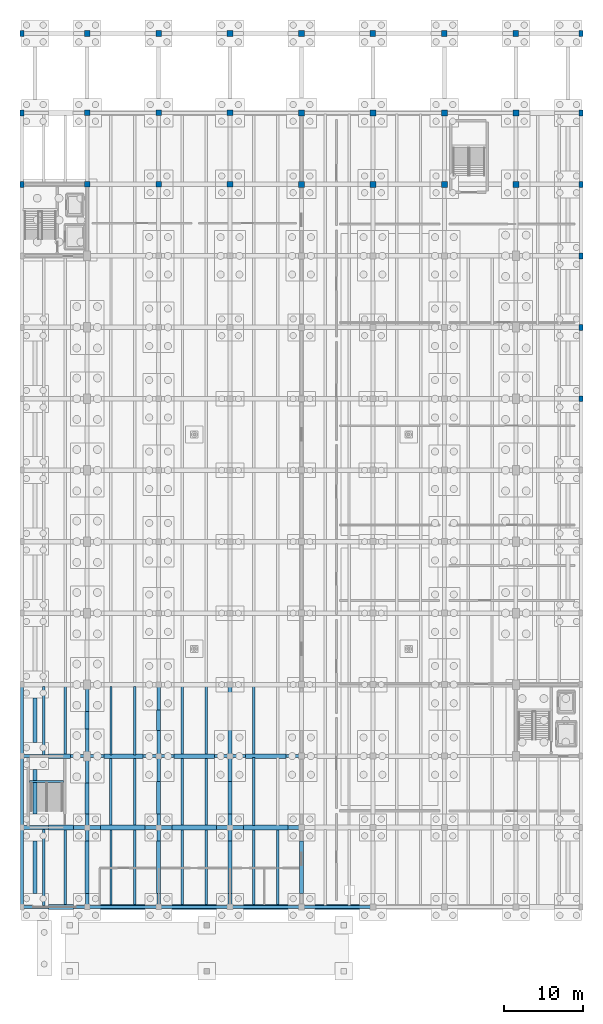
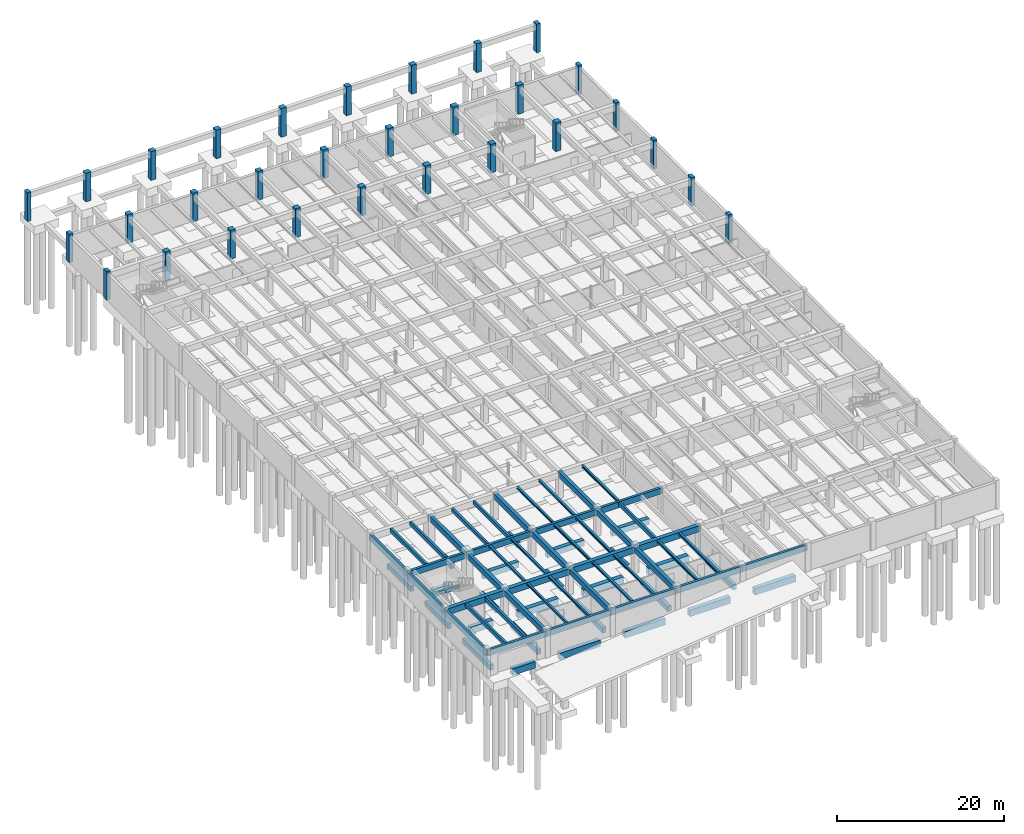
# One storey, part 11 of 23: 71 beams, 30 columns.
"""IFC4 building model written with IfcOpenShell, lengths in metres."""

from ifc_helpers import new_model, si_unit, direction, frame, origin, origin_2d, place, context, subcontext, project, spatial, rectangle, i_section, extrude, material, material_profile, profile_set, type_object, element, save


model = new_model("IFC4")

# Units and contexts
model_context = context("Model", 3, precision=1e-05, world=origin(), true_north=direction((0.0, 1.0)))
body_context = subcontext(model_context, "Body", "Model", "MODEL_VIEW")
ifc_project = project(units=[si_unit("LENGTHUNIT", "METRE"), si_unit("AREAUNIT", "SQUARE_METRE"), si_unit("VOLUMEUNIT", "CUBIC_METRE"), si_unit("PLANEANGLEUNIT", "RADIAN"), si_unit("MASSUNIT", "GRAM", prefix="KILO")], contexts=[model_context])

# Site, building, storey
site_placement = place(None, origin())
site = spatial("IfcSite", under=ifc_project, at=site_placement, CompositionType="ELEMENT")
building_placement = place(site_placement, origin())
building = spatial("IfcBuilding", under=site, at=building_placement, Name="Ornek Quay Market", CompositionType="ELEMENT")
storey_placement = place(building_placement, frame((0.0, 0.0, -4.199951171875)))
storey = spatial("IfcBuildingStorey", under=building, at=storey_placement, Name="B1", CompositionType="ELEMENT", Elevation=-4.199951171875)

# Columns
ifc_material_1 = material(Name="Concrete C40/50", Category="concrete")
ifc_material_profile_1 = material_profile(ifc_material_1, rectangle(XDim=0.699951171875, YDim=0.699951171875, at=origin_2d()), Name="RC 700x700", Category="concrete")
ifc_profile_set_1 = profile_set([ifc_material_profile_1], Name="Concrete C40/50")
column_type_1 = type_object("IfcColumnType", Name="COL-B1-700x700", PredefinedType="COLUMN", material=ifc_profile_set_1)
for number, where, z_axis, x_axis, name in (
    (1, (63.0, 101.0, 0.0), (0.0, 0.0, 1.0), (1.0, 0.0, 0.0), "Column C-B1B-003"),
    (2, (63.0, 110.0, 0.0), (0.0, 0.0, 1.0), (1.0, 0.0, 0.0), "Column C-B1B-004"),
    (3, (63.0, 120.0, 0.0), (0.0, 0.0, 1.0), (1.0, 0.0, 0.0), "Column C-B1B-005"),
    (4, (72.0, 101.0, 0.0), (0.0, 0.0, 1.0), (1.0, 0.0, 0.0), "Column C-B1B-016"),
    (5, (72.0, 110.0, 0.0), (0.0, 0.0, 1.0), (1.0, 0.0, 0.0), "Column C-B1B-017"),
    (6, (72.0, 120.0, 0.0), (0.0, 0.0, 1.0), (1.0, 0.0, 0.0), "Column C-B1B-018"),
    (7, (81.0, 101.0, 0.0), (0.0, 0.0, 1.0), (1.0, 0.0, 0.0), "Column C-B1B-029"),
    (8, (81.0, 110.0, 0.0), (0.0, 0.0, 1.0), (1.0, 0.0, 0.0), "Column C-B1B-030"),
    (9, (81.0, 120.0, 0.0), (0.0, 0.0, 1.0), (1.0, 0.0, 0.0), "Column C-B1B-031"),
    (10, (90.0, 120.0, 0.0), (0.0, 0.0, 1.0), (1.0, 0.0, 0.0), "Column C-B1B-032"),
    (11, (99.0, 120.0, 0.0), (0.0, 0.0, 1.0), (1.0, 0.0, 0.0), "Column C-B1B-033"),
    (12, (108.0, 120.0, 0.0), (0.0, 0.0, 1.0), (1.0, 0.0, 0.0), "Column C-B1B-034"),
    (13, (117.0, 120.0, 0.0), (0.0, 0.0, 1.0), (1.0, 0.0, 0.0), "Column C-B1B-035"),
):
    element("IfcColumn", number, at=place(storey_placement, frame(where, z_axis=z_axis, x_axis=x_axis)), inside=storey, type_object=column_type_1, Name=name, PredefinedType="COLUMN", context=body_context, shape_type="SweptSolid", body=[
        extrude(rectangle(XDim=0.699951171875, YDim=0.699951171875, at=origin_2d()), origin(), (0.0, 0.0, 1.0), 4.199951171875),
    ])
ifc_material_profile_2 = material_profile(ifc_material_1, rectangle(XDim=0.75, YDim=0.75, at=origin_2d()), Name="RC 750x750", Category="concrete")
ifc_profile_set_2 = profile_set([ifc_material_profile_2], Name="Concrete C40/50")
column_type_2 = type_object("IfcColumnType", Name="COL-B1-750x750", PredefinedType="COLUMN", material=ifc_profile_set_2)
for number, where, z_axis, x_axis, name in (
    (14, (90.0, 101.0, 0.0), (0.0, 0.0, 1.0), (1.0, 0.0, 0.0), "Column C-B1A-011"),
    (15, (90.0, 110.0, 0.0), (0.0, 0.0, 1.0), (1.0, 0.0, 0.0), "Column C-B1A-012"),
    (16, (99.0, 101.0, 0.0), (0.0, 0.0, 1.0), (1.0, 0.0, 0.0), "Column C-B1A-023"),
    (17, (99.0, 110.0, 0.0), (0.0, 0.0, 1.0), (1.0, 0.0, 0.0), "Column C-B1A-024"),
    (18, (108.0, 101.0, 0.0), (0.0, 0.0, 1.0), (1.0, 0.0, 0.0), "Column C-B1A-035"),
    (19, (108.0, 110.0, 0.0), (0.0, 0.0, 1.0), (1.0, 0.0, 0.0), "Column C-B1A-036"),
    (20, (117.0, 101.0, 0.0), (0.0, 0.0, 1.0), (1.0, 0.0, 0.0), "Column C-B1A-039"),
    (21, (117.0, 110.0, 0.0), (0.0, 0.0, 1.0), (1.0, 0.0, 0.0), "Column C-B1A-040"),
):
    element("IfcColumn", number, at=place(storey_placement, frame(where, z_axis=z_axis, x_axis=x_axis)), inside=storey, type_object=column_type_2, Name=name, PredefinedType="COLUMN", context=body_context, shape_type="SweptSolid", body=[
        extrude(rectangle(XDim=0.75, YDim=0.75, at=origin_2d()), origin(), (0.0, 0.0, 1.0), 4.199951171875),
    ])
ifc_material_profile_3 = material_profile(ifc_material_1, rectangle(XDim=0.5, YDim=0.75, at=origin_2d()), Name="RC 500x750", Category="concrete")
ifc_profile_set_3 = profile_set([ifc_material_profile_3], Name="Concrete C40/50")
column_type_3 = type_object("IfcColumnType", Name="COL-MJ-500x750", PredefinedType="COLUMN", material=ifc_profile_set_3)
for number, where, z_axis, x_axis, name in (
    (22, (54.800048828125, 101.0, 0.0), (0.0, 0.0, 1.0), (1.0, 0.0, 0.0), "Column C-MJ1-026"),
    (23, (54.800048828125, 110.0, 0.0), (0.0, 0.0, 1.0), (1.0, 0.0, 0.0), "Column C-MJ1-028"),
    (24, (54.800048828125, 120.0, 0.0), (0.0, 0.0, 1.0), (1.0, 0.0, 0.0), "Column C-MJ1-030"),
    (25, (125.199951171875, 74.0, 0.0), (0.0, 0.0, 1.0), (1.0, 0.0, 0.0), "Column C-MJ1-045"),
    (26, (125.199951171875, 83.0, 0.0), (0.0, 0.0, 1.0), (1.0, 0.0, 0.0), "Column C-MJ1-047"),
    (27, (125.199951171875, 92.0, 0.0), (0.0, 0.0, 1.0), (1.0, 0.0, 0.0), "Column C-MJ1-049"),
    (28, (125.199951171875, 101.0, 0.0), (0.0, 0.0, 1.0), (1.0, 0.0, 0.0), "Column C-MJ1-051"),
    (29, (125.199951171875, 110.0, 0.0), (0.0, 0.0, 1.0), (1.0, 0.0, 0.0), "Column C-MJ1-053"),
    (30, (125.199951171875, 120.0, 0.0), (0.0, 0.0, 1.0), (1.0, 0.0, 0.0), "Column C-MJ1-055"),
):
    element("IfcColumn", number, at=place(storey_placement, frame(where, z_axis=z_axis, x_axis=x_axis)), inside=storey, type_object=column_type_3, Name=name, PredefinedType="COLUMN", context=body_context, shape_type="SweptSolid", body=[
        extrude(rectangle(XDim=0.5, YDim=0.75, at=origin_2d()), origin(), (0.0, 0.0, 1.0), 4.199951171875),
    ])

# Beams
ifc_material_2 = material(Name="Concrete C35/45", Category="concrete")
ifc_material_profile_4 = material_profile(ifc_material_2, rectangle(XDim=0.449951171875, YDim=0.800048828125, at=origin_2d()), Name="RC 450x800", Category="concrete")
ifc_profile_set_4 = profile_set([ifc_material_profile_4], Name="Concrete C35/45")
beam_type_1 = type_object("IfcBeamType", Name="BM-B1-450x800", PredefinedType="BEAM", material=ifc_profile_set_4)
beam_1_placement = place(storey_placement, frame((63.0, 10.0, 3.419921875), z_axis=(0.0, 1.0, 0.0), x_axis=(-1.0, 0.0, 0.0)))
element("IfcBeam", 31, at=beam_1_placement, inside=storey, type_object=beam_type_1, Name="Primary beam B-B1B-001", PredefinedType="BEAM", context=body_context, shape_type="SweptSolid", body=[
    extrude(rectangle(XDim=0.449951171875, YDim=0.800048828125, at=origin_2d()), origin(), (0.0, 0.0, 1.0), 10.0),
])
beam_2_placement = place(storey_placement, frame((63.0, 20.0, 3.419921875), z_axis=(0.0, 1.0, 0.0), x_axis=(-1.0, 0.0, 0.0)))
element("IfcBeam", 32, at=beam_2_placement, inside=storey, type_object=beam_type_1, Name="Primary beam B-B1B-002", PredefinedType="BEAM", context=body_context, shape_type="SweptSolid", body=[
    extrude(rectangle(XDim=0.449951171875, YDim=0.800048828125, at=origin_2d()), origin(), (0.0, 0.0, 1.0), 9.0),
])
beam_3_placement = place(storey_placement, frame((72.0, 10.0, 3.419921875), z_axis=(0.0, 1.0, 0.0), x_axis=(-1.0, 0.0, 0.0)))
element("IfcBeam", 33, at=beam_3_placement, inside=storey, type_object=beam_type_1, Name="Primary beam B-B1B-003", PredefinedType="BEAM", context=body_context, shape_type="SweptSolid", body=[
    extrude(rectangle(XDim=0.449951171875, YDim=0.800048828125, at=origin_2d()), origin(), (0.0, 0.0, 1.0), 10.0),
])
beam_4_placement = place(storey_placement, frame((72.0, 20.0, 3.419921875), z_axis=(0.0, 1.0, 0.0), x_axis=(-1.0, 0.0, 0.0)))
element("IfcBeam", 34, at=beam_4_placement, inside=storey, type_object=beam_type_1, Name="Primary beam B-B1B-004", PredefinedType="BEAM", context=body_context, shape_type="SweptSolid", body=[
    extrude(rectangle(XDim=0.449951171875, YDim=0.800048828125, at=origin_2d()), origin(), (0.0, 0.0, 1.0), 9.0),
])
beam_5_placement = place(storey_placement, frame((81.0, 10.0, 3.419921875), z_axis=(0.0, 1.0, 0.0), x_axis=(-1.0, 0.0, 0.0)))
element("IfcBeam", 35, at=beam_5_placement, inside=storey, type_object=beam_type_1, Name="Primary beam B-B1B-005", PredefinedType="BEAM", context=body_context, shape_type="SweptSolid", body=[
    extrude(rectangle(XDim=0.449951171875, YDim=0.800048828125, at=origin_2d()), origin(), (0.0, 0.0, 1.0), 10.0),
])
for number, where, z_axis, x_axis, name in (
    (36, (81.0, 20.0, 3.419921875), (0.0, 1.0, 0.0), (-1.0, 0.0, 0.0), "Primary beam B-B1B-006"),
    (37, (63.0, 29.0, 3.4599609375), (0.0, 1.0, 0.0), (-1.0, 0.0, 0.0), "Primary beam B-B1B-015"),
    (38, (72.0, 29.0, 3.4599609375), (0.0, 1.0, 0.0), (-1.0, 0.0, 0.0), "Primary beam B-B1B-024"),
    (39, (81.0, 29.0, 3.4599609375), (0.0, 1.0, 0.0), (-1.0, 0.0, 0.0), "Primary beam B-B1B-033"),
):
    element("IfcBeam", number, at=place(storey_placement, frame(where, z_axis=z_axis, x_axis=x_axis)), inside=storey, type_object=beam_type_1, Name=name, PredefinedType="BEAM", context=body_context, shape_type="SweptSolid", body=[
        extrude(rectangle(XDim=0.449951171875, YDim=0.800048828125, at=origin_2d()), origin(), (0.0, 0.0, 1.0), 9.0),
    ])
ifc_material_profile_5 = material_profile(ifc_material_1, rectangle(XDim=0.550048828125, YDim=0.89990234375, at=origin_2d()), Name="RC 550x900", Category="concrete")
ifc_profile_set_5 = profile_set([ifc_material_profile_5], Name="Concrete C40/50")
beam_type_2 = type_object("IfcBeamType", Name="BM-B1-550x900", PredefinedType="BEAM", material=ifc_profile_set_5)
beam_6_placement = place(storey_placement, frame((54.800048828125, 20.0, 3.369873046875), z_axis=(1.0, 0.0, 0.0), x_axis=(0.0, 1.0, 0.0)))
element("IfcBeam", 40, at=beam_6_placement, inside=storey, type_object=beam_type_2, Name="Primary beam B-B1A-001", PredefinedType="BEAM", context=body_context, shape_type="SweptSolid", body=[
    extrude(rectangle(XDim=0.550048828125, YDim=0.89990234375, at=origin_2d()), origin(), (0.0, 0.0, 1.0), 8.199951171875),
])
for number, where, z_axis, x_axis, name in (
    (41, (63.0, 20.0, 3.369873046875), (1.0, 0.0, 0.0), (0.0, 1.0, 0.0), "Primary beam B-B1A-002"),
    (42, (72.0, 20.0, 3.369873046875), (1.0, 0.0, 0.0), (0.0, 1.0, 0.0), "Primary beam B-B1A-003"),
    (43, (81.0, 20.0, 3.369873046875), (1.0, 0.0, 0.0), (0.0, 1.0, 0.0), "Primary beam B-B1A-004"),
):
    element("IfcBeam", number, at=place(storey_placement, frame(where, z_axis=z_axis, x_axis=x_axis)), inside=storey, type_object=beam_type_2, Name=name, PredefinedType="BEAM", context=body_context, shape_type="SweptSolid", body=[
        extrude(rectangle(XDim=0.550048828125, YDim=0.89990234375, at=origin_2d()), origin(), (0.0, 0.0, 1.0), 9.0),
    ])
ifc_material_profile_6 = material_profile(ifc_material_2, rectangle(XDim=0.5, YDim=0.75, at=origin_2d()), Name="RC 500x750", Category="concrete")
ifc_profile_set_6 = profile_set([ifc_material_profile_6], Name="Concrete C35/45")
beam_type_3 = type_object("IfcBeamType", Name="BM-GB-500x750", PredefinedType="BEAM", material=ifc_profile_set_6)
beam_7_placement = place(storey_placement, frame((56.419921875, 11.699951171875, -0.375), z_axis=(0.0, 1.0, 0.0), x_axis=(-1.0, 0.0, 0.0)))
element("IfcBeam", 44, at=beam_7_placement, inside=storey, type_object=beam_type_3, Name="Ground tie beam GB-210", PredefinedType="BEAM", context=body_context, shape_type="SweptSolid", body=[
    extrude(rectangle(XDim=0.5, YDim=0.75, at=origin_2d()), origin(), (0.0, 0.0, 1.0), 6.60009765625),
])
for number, where, z_axis, x_axis, name in (
    (45, (56.419921875, 21.699951171875, -0.375), (0.0, 1.0, 0.0), (-1.0, 0.0, 0.0), "Ground tie beam GB-211"),
    (46, (56.419921875, 30.699951171875, -0.375), (0.0, 1.0, 0.0), (-1.0, 0.0, 0.0), "Ground tie beam GB-212"),
):
    element("IfcBeam", number, at=place(storey_placement, frame(where, z_axis=z_axis, x_axis=x_axis)), inside=storey, type_object=beam_type_3, Name=name, PredefinedType="BEAM", context=body_context, shape_type="SweptSolid", body=[
        extrude(rectangle(XDim=0.5, YDim=0.75, at=origin_2d()), origin(), (0.0, 0.0, 1.0), 5.60009765625),
    ])
beam_8_placement = place(storey_placement, frame((63.0, 11.699951171875, -0.375), z_axis=(0.0, 1.0, 0.0), x_axis=(-1.0, 0.0, 0.0)))
element("IfcBeam", 47, at=beam_8_placement, inside=storey, type_object=beam_type_3, Name="Ground tie beam GB-219", PredefinedType="BEAM", context=body_context, shape_type="SweptSolid", body=[
    extrude(rectangle(XDim=0.5, YDim=0.75, at=origin_2d()), origin(), (0.0, 0.0, 1.0), 6.60009765625),
])
beam_9_placement = place(storey_placement, frame((63.0, 21.699951171875, -0.375), z_axis=(0.0, 1.0, 0.0), x_axis=(-1.0, 0.0, 0.0)))
element("IfcBeam", 48, at=beam_9_placement, inside=storey, type_object=beam_type_3, Name="Ground tie beam GB-220", PredefinedType="BEAM", context=body_context, shape_type="SweptSolid", body=[
    extrude(rectangle(XDim=0.5, YDim=0.75, at=origin_2d()), origin(), (0.0, 0.0, 1.0), 3.900146484375),
])
beam_10_placement = place(storey_placement, frame((63.0, 32.39990234375, -0.375), z_axis=(0.0, 1.0, 0.0), x_axis=(-1.0, 0.0, 0.0)))
element("IfcBeam", 49, at=beam_10_placement, inside=storey, type_object=beam_type_3, Name="Ground tie beam GB-221", PredefinedType="BEAM", context=body_context, shape_type="SweptSolid", body=[
    extrude(rectangle(XDim=0.5, YDim=0.75, at=origin_2d()), origin(), (0.0, 0.0, 1.0), 2.2001953125),
])
beam_11_placement = place(storey_placement, frame((72.0, 11.699951171875, -0.375), z_axis=(0.0, 1.0, 0.0), x_axis=(-1.0, 0.0, 0.0)))
element("IfcBeam", 50, at=beam_11_placement, inside=storey, type_object=beam_type_3, Name="Ground tie beam GB-228", PredefinedType="BEAM", context=body_context, shape_type="SweptSolid", body=[
    extrude(rectangle(XDim=0.5, YDim=0.75, at=origin_2d()), origin(), (0.0, 0.0, 1.0), 6.60009765625),
])
beam_12_placement = place(storey_placement, frame((72.0, 21.699951171875, -0.375), z_axis=(0.0, 1.0, 0.0), x_axis=(-1.0, 0.0, 0.0)))
element("IfcBeam", 51, at=beam_12_placement, inside=storey, type_object=beam_type_3, Name="Ground tie beam GB-229", PredefinedType="BEAM", context=body_context, shape_type="SweptSolid", body=[
    extrude(rectangle(XDim=0.5, YDim=0.75, at=origin_2d()), origin(), (0.0, 0.0, 1.0), 4.10009765625),
])
beam_13_placement = place(storey_placement, frame((72.0, 32.199951171875, -0.375), z_axis=(0.0, 1.0, 0.0), x_axis=(-1.0, 0.0, 0.0)))
element("IfcBeam", 52, at=beam_13_placement, inside=storey, type_object=beam_type_3, Name="Ground tie beam GB-230", PredefinedType="BEAM", context=body_context, shape_type="SweptSolid", body=[
    extrude(rectangle(XDim=0.5, YDim=0.75, at=origin_2d()), origin(), (0.0, 0.0, 1.0), 2.60009765625),
])
beam_14_placement = place(storey_placement, frame((81.0, 11.699951171875, -0.375), z_axis=(0.0, 1.0, 0.0), x_axis=(-1.0, 0.0, 0.0)))
element("IfcBeam", 53, at=beam_14_placement, inside=storey, type_object=beam_type_3, Name="Ground tie beam GB-240", PredefinedType="BEAM", context=body_context, shape_type="SweptSolid", body=[
    extrude(rectangle(XDim=0.5, YDim=0.75, at=origin_2d()), origin(), (0.0, 0.0, 1.0), 6.60009765625),
])
beam_15_placement = place(storey_placement, frame((81.0, 21.699951171875, -0.375), z_axis=(0.0, 1.0, 0.0), x_axis=(-1.0, 0.0, 0.0)))
element("IfcBeam", 54, at=beam_15_placement, inside=storey, type_object=beam_type_3, Name="Ground tie beam GB-241", PredefinedType="BEAM", context=body_context, shape_type="SweptSolid", body=[
    extrude(rectangle(XDim=0.5, YDim=0.75, at=origin_2d()), origin(), (0.0, 0.0, 1.0), 4.10009765625),
])
beam_16_placement = place(storey_placement, frame((90.0, 11.699951171875, -0.375), z_axis=(0.0, 1.0, 0.0), x_axis=(-1.0, 0.0, 0.0)))
element("IfcBeam", 55, at=beam_16_placement, inside=storey, type_object=beam_type_3, Name="Ground tie beam GB-252", PredefinedType="BEAM", context=body_context, shape_type="SweptSolid", body=[
    extrude(rectangle(XDim=0.5, YDim=0.75, at=origin_2d()), origin(), (0.0, 0.0, 1.0), 6.60009765625),
])
ifc_material_profile_7 = material_profile(ifc_material_2, rectangle(XDim=0.550048828125, YDim=0.85009765625, at=origin_2d()), Name="RC 550x850", Category="concrete")
ifc_profile_set_7 = profile_set([ifc_material_profile_7], Name="Concrete C35/45")
beam_type_4 = type_object("IfcBeamType", Name="BM-GB-550x850", PredefinedType="BEAM", material=ifc_profile_set_7)
beam_17_placement = place(storey_placement, frame((58.1201171875, 29.0, -0.425048828125), z_axis=(1.0, 0.0, 0.0), x_axis=(0.0, 1.0, 0.0)))
element("IfcBeam", 56, at=beam_17_placement, inside=storey, type_object=beam_type_4, Name="Ground tie beam GB-130", PredefinedType="BEAM", context=body_context, shape_type="SweptSolid", body=[
    extrude(rectangle(XDim=0.550048828125, YDim=0.85009765625, at=origin_2d()), origin(), (0.0, 0.0, 1.0), 2.77978515625),
])
beam_18_placement = place(storey_placement, frame((65.10009765625, 29.0, -0.425048828125), z_axis=(1.0, 0.0, 0.0), x_axis=(0.0, 1.0, 0.0)))
element("IfcBeam", 57, at=beam_18_placement, inside=storey, type_object=beam_type_4, Name="Ground tie beam GB-131", PredefinedType="BEAM", context=body_context, shape_type="SweptSolid", body=[
    extrude(rectangle(XDim=0.550048828125, YDim=0.85009765625, at=origin_2d()), origin(), (0.0, 0.0, 1.0), 4.949951171875),
])
for number, where, z_axis, x_axis, name in (
    (58, (73.949951171875, 29.0, -0.425048828125), (1.0, 0.0, 0.0), (0.0, 1.0, 0.0), "Ground tie beam GB-132"),
    (59, (82.949951171875, 29.0, -0.425048828125), (1.0, 0.0, 0.0), (0.0, 1.0, 0.0), "Ground tie beam GB-133"),
):
    element("IfcBeam", number, at=place(storey_placement, frame(where, z_axis=z_axis, x_axis=x_axis)), inside=storey, type_object=beam_type_4, Name=name, PredefinedType="BEAM", context=body_context, shape_type="SweptSolid", body=[
        extrude(rectangle(XDim=0.550048828125, YDim=0.85009765625, at=origin_2d()), origin(), (0.0, 0.0, 1.0), 5.10009765625),
    ])
ifc_material_profile_8 = material_profile(ifc_material_2, rectangle(XDim=0.60009765625, YDim=0.949951171875, at=origin_2d()), Name="RC 600x950", Category="concrete")
ifc_profile_set_8 = profile_set([ifc_material_profile_8], Name="Concrete C35/45")
beam_type_5 = type_object("IfcBeamType", Name="BM-GB-600x950", PredefinedType="BEAM", material=ifc_profile_set_8)
beam_19_placement = place(storey_placement, frame((58.1201171875, 10.0, -0.47509765625), z_axis=(1.0, 0.0, 0.0), x_axis=(0.0, 1.0, 0.0)))
element("IfcBeam", 60, at=beam_19_placement, inside=storey, type_object=beam_type_5, Name="Ground tie beam GB-114", PredefinedType="BEAM", context=body_context, shape_type="SweptSolid", body=[
    extrude(rectangle(XDim=0.60009765625, YDim=0.949951171875, at=origin_2d()), origin(), (0.0, 0.0, 1.0), 3.179931640625),
])
for number, where, z_axis, x_axis, name in (
    (61, (64.699951171875, 10.0, -0.47509765625), (1.0, 0.0, 0.0), (0.0, 1.0, 0.0), "Ground tie beam GB-115"),
    (62, (73.699951171875, 10.0, -0.47509765625), (1.0, 0.0, 0.0), (0.0, 1.0, 0.0), "Ground tie beam GB-116"),
    (63, (82.699951171875, 10.0, -0.47509765625), (1.0, 0.0, 0.0), (0.0, 1.0, 0.0), "Ground tie beam GB-117"),
    (64, (91.699951171875, 10.0, -0.47509765625), (1.0, 0.0, 0.0), (0.0, 1.0, 0.0), "Ground tie beam GB-118"),
):
    element("IfcBeam", number, at=place(storey_placement, frame(where, z_axis=z_axis, x_axis=x_axis)), inside=storey, type_object=beam_type_5, Name=name, PredefinedType="BEAM", context=body_context, shape_type="SweptSolid", body=[
        extrude(rectangle(XDim=0.60009765625, YDim=0.949951171875, at=origin_2d()), origin(), (0.0, 0.0, 1.0), 5.60009765625),
    ])
beam_20_placement = place(storey_placement, frame((58.1201171875, 20.0, -0.47509765625), z_axis=(1.0, 0.0, 0.0), x_axis=(0.0, 1.0, 0.0)))
element("IfcBeam", 65, at=beam_20_placement, inside=storey, type_object=beam_type_5, Name="Ground tie beam GB-122", PredefinedType="BEAM", context=body_context, shape_type="SweptSolid", body=[
    extrude(rectangle(XDim=0.60009765625, YDim=0.949951171875, at=origin_2d()), origin(), (0.0, 0.0, 1.0), 3.179931640625),
])
for number, where, z_axis, x_axis, name in (
    (66, (64.699951171875, 20.0, -0.47509765625), (1.0, 0.0, 0.0), (0.0, 1.0, 0.0), "Ground tie beam GB-123"),
    (67, (73.699951171875, 20.0, -0.47509765625), (1.0, 0.0, 0.0), (0.0, 1.0, 0.0), "Ground tie beam GB-124"),
    (68, (82.699951171875, 20.0, -0.47509765625), (1.0, 0.0, 0.0), (0.0, 1.0, 0.0), "Ground tie beam GB-125"),
):
    element("IfcBeam", number, at=place(storey_placement, frame(where, z_axis=z_axis, x_axis=x_axis)), inside=storey, type_object=beam_type_5, Name=name, PredefinedType="BEAM", context=body_context, shape_type="SweptSolid", body=[
        extrude(rectangle(XDim=0.60009765625, YDim=0.949951171875, at=origin_2d()), origin(), (0.0, 0.0, 1.0), 5.60009765625),
    ])
ifc_material_profile_9 = material_profile(ifc_material_2, rectangle(XDim=0.280029296875, YDim=0.5, at=origin_2d()), Name="RC 280x500", Category="concrete")
ifc_profile_set_9 = profile_set([ifc_material_profile_9], Name="Concrete C35/45")
beam_type_6 = type_object("IfcBeamType", Name="BM-SEC-280x500", PredefinedType="JOIST", material=ifc_profile_set_9)
for number, where, z_axis, x_axis, name in (
    (69, (66.0, 29.1669921875, 3.60986328125), (0.0, 1.0, 0.0), (-1.0, 0.0, 0.0), "Secondary joist B-SC2-003"),
    (70, (69.0, 29.1669921875, 3.60986328125), (0.0, 1.0, 0.0), (-1.0, 0.0, 0.0), "Secondary joist B-SC2-004"),
):
    element("IfcBeam", number, at=place(storey_placement, frame(where, z_axis=z_axis, x_axis=x_axis)), inside=storey, type_object=beam_type_6, Name=name, PredefinedType="JOIST", context=body_context, shape_type="SweptSolid", body=[
        extrude(rectangle(XDim=0.280029296875, YDim=0.5, at=origin_2d()), origin(), (0.0, 0.0, 1.0), 8.56591796875),
    ])
beam_21_placement = place(storey_placement, frame((55.75, 25.7919921875, 1.68505859375), z_axis=(1.0, 0.0, 0.0), x_axis=(0.0, 1.0, 0.0)))
element("IfcBeam", 71, at=beam_21_placement, inside=storey, type_object=beam_type_6, Name="Stair landing beam BL-28", PredefinedType="JOIST", context=body_context, shape_type="SweptSolid", body=[
    extrude(rectangle(XDim=0.280029296875, YDim=0.5, at=origin_2d()), origin(), (0.0, 0.0, 1.0), 4.300048828125),
])
ifc_material_profile_10 = material_profile(ifc_material_2, rectangle(XDim=0.300048828125, YDim=0.550048828125, at=origin_2d()), Name="RC 300x550", Category="concrete")
ifc_profile_set_10 = profile_set([ifc_material_profile_10], Name="Concrete C35/45")
beam_type_7 = type_object("IfcBeamType", Name="BM-SEC-300x550", PredefinedType="JOIST", material=ifc_profile_set_10)
for number, where, z_axis, x_axis, name in (
    (72, (57.533203125, 10.1669921875, 3.544921875), (0.0, 1.0, 0.0), (-1.0, 0.0, 0.0), "Secondary joist B-SC1-001"),
    (73, (60.2666015625, 10.1669921875, 3.544921875), (0.0, 1.0, 0.0), (-1.0, 0.0, 0.0), "Secondary joist B-SC1-002"),
):
    element("IfcBeam", number, at=place(storey_placement, frame(where, z_axis=z_axis, x_axis=x_axis)), inside=storey, type_object=beam_type_7, Name=name, PredefinedType="JOIST", context=body_context, shape_type="SweptSolid", body=[
        extrude(rectangle(XDim=0.300048828125, YDim=0.550048828125, at=origin_2d()), origin(), (0.0, 0.0, 1.0), 9.56591796875),
    ])
for number, where, z_axis, x_axis, name in (
    (74, (84.0, 20.26708984375, 3.544921875), (0.0, 1.0, 0.0), (-1.0, 0.0, 0.0), "Secondary joist B-SC1-003"),
    (75, (57.533203125, 29.1669921875, 3.5849609375), (0.0, 1.0, 0.0), (-1.0, 0.0, 0.0), "Secondary joist B-SC1-009"),
    (76, (60.2666015625, 29.1669921875, 3.5849609375), (0.0, 1.0, 0.0), (-1.0, 0.0, 0.0), "Secondary joist B-SC1-010"),
):
    element("IfcBeam", number, at=place(storey_placement, frame(where, z_axis=z_axis, x_axis=x_axis)), inside=storey, type_object=beam_type_7, Name=name, PredefinedType="JOIST", context=body_context, shape_type="SweptSolid", body=[
        extrude(rectangle(XDim=0.300048828125, YDim=0.550048828125, at=origin_2d()), origin(), (0.0, 0.0, 1.0), 8.56591796875),
    ])
ifc_material_profile_11 = material_profile(ifc_material_1, rectangle(XDim=0.35009765625, YDim=0.85009765625, at=origin_2d()), Name="RC 350x850", Category="concrete")
ifc_profile_set_11 = profile_set([ifc_material_profile_11], Name="Concrete C40/50")
beam_type_8 = type_object("IfcBeamType", Name="BM-SPN-350x850", PredefinedType="SPANDREL", material=ifc_profile_set_11)
beam_22_placement = place(storey_placement, frame((54.800048828125, 10.0, 3.39501953125), z_axis=(1.0, 0.0, 0.0), x_axis=(0.0, 1.0, 0.0)))
element("IfcBeam", 77, at=beam_22_placement, inside=storey, type_object=beam_type_8, Name="Primary beam B-SP1-001", PredefinedType="SPANDREL", context=body_context, shape_type="SweptSolid", body=[
    extrude(rectangle(XDim=0.35009765625, YDim=0.85009765625, at=origin_2d()), origin(), (0.0, 0.0, 1.0), 8.199951171875),
])
for number, where, z_axis, x_axis, name in (
    (78, (63.0, 10.0, 3.39501953125), (1.0, 0.0, 0.0), (0.0, 1.0, 0.0), "Primary beam B-SP1-002"),
    (79, (72.0, 10.0, 3.39501953125), (1.0, 0.0, 0.0), (0.0, 1.0, 0.0), "Primary beam B-SP1-003"),
    (80, (81.0, 10.0, 3.39501953125), (1.0, 0.0, 0.0), (0.0, 1.0, 0.0), "Primary beam B-SP1-004"),
    (81, (90.0, 10.0, 3.39501953125), (1.0, 0.0, 0.0), (0.0, 1.0, 0.0), "Primary beam B-SP1-005"),
):
    element("IfcBeam", number, at=place(storey_placement, frame(where, z_axis=z_axis, x_axis=x_axis)), inside=storey, type_object=beam_type_8, Name=name, PredefinedType="SPANDREL", context=body_context, shape_type="SweptSolid", body=[
        extrude(rectangle(XDim=0.35009765625, YDim=0.85009765625, at=origin_2d()), origin(), (0.0, 0.0, 1.0), 9.0),
    ])
beam_23_placement = place(storey_placement, frame((54.800048828125, 29.0, 3.39501953125), z_axis=(1.0, 0.0, 0.0), x_axis=(0.0, 1.0, 0.0)))
element("IfcBeam", 82, at=beam_23_placement, inside=storey, type_object=beam_type_8, Name="Primary beam B-SP1-009", PredefinedType="SPANDREL", context=body_context, shape_type="SweptSolid", body=[
    extrude(rectangle(XDim=0.35009765625, YDim=0.85009765625, at=origin_2d()), origin(), (0.0, 0.0, 1.0), 8.199951171875),
])
for number, where, z_axis, x_axis, name in (
    (83, (63.0, 29.0, 3.39501953125), (1.0, 0.0, 0.0), (0.0, 1.0, 0.0), "Primary beam B-SP1-010"),
    (84, (72.0, 29.0, 3.39501953125), (1.0, 0.0, 0.0), (0.0, 1.0, 0.0), "Primary beam B-SP1-011"),
    (85, (81.0, 29.0, 3.39501953125), (1.0, 0.0, 0.0), (0.0, 1.0, 0.0), "Primary beam B-SP1-012"),
):
    element("IfcBeam", number, at=place(storey_placement, frame(where, z_axis=z_axis, x_axis=x_axis)), inside=storey, type_object=beam_type_8, Name=name, PredefinedType="SPANDREL", context=body_context, shape_type="SweptSolid", body=[
        extrude(rectangle(XDim=0.35009765625, YDim=0.85009765625, at=origin_2d()), origin(), (0.0, 0.0, 1.0), 9.0),
    ])
beam_24_placement = place(storey_placement, frame((54.800048828125, 10.0, 3.39501953125), z_axis=(0.0, 1.0, 0.0), x_axis=(-1.0, 0.0, 0.0)))
element("IfcBeam", 86, at=beam_24_placement, inside=storey, type_object=beam_type_8, Name="Primary beam B-SP1-017", PredefinedType="SPANDREL", context=body_context, shape_type="SweptSolid", body=[
    extrude(rectangle(XDim=0.35009765625, YDim=0.85009765625, at=origin_2d()), origin(), (0.0, 0.0, 1.0), 10.0),
])
for number, where, z_axis, x_axis, name in (
    (87, (54.800048828125, 20.0, 3.39501953125), (0.0, 1.0, 0.0), (-1.0, 0.0, 0.0), "Primary beam B-SP1-018"),
    (88, (54.800048828125, 29.0, 3.43505859375), (0.0, 1.0, 0.0), (-1.0, 0.0, 0.0), "Primary beam B-SP1-029"),
):
    element("IfcBeam", number, at=place(storey_placement, frame(where, z_axis=z_axis, x_axis=x_axis)), inside=storey, type_object=beam_type_8, Name=name, PredefinedType="SPANDREL", context=body_context, shape_type="SweptSolid", body=[
        extrude(rectangle(XDim=0.35009765625, YDim=0.85009765625, at=origin_2d()), origin(), (0.0, 0.0, 1.0), 9.0),
    ])
ifc_material_3 = material(Name="Steel S355", Category="steel")
ifc_material_profile_12 = material_profile(ifc_material_3, i_section(OverallWidth=0.300048828125, OverallDepth=0.2900390625, WebThickness=0.008544921875, FlangeThickness=0.013916015625, FilletRadius=0.027099609375, at=origin_2d()), Name="HEA 300", Category="steel")
ifc_profile_set_12 = profile_set([ifc_material_profile_12], Name="Steel S355")
beam_type_9 = type_object("IfcBeamType", Name="BM-STL-HEA300", PredefinedType="BEAM", material=ifc_profile_set_12)
for number, where, z_axis, x_axis, name in (
    (89, (75.0, 29.1669921875, 3.71484375), (0.0, 1.0, 0.0), (-1.0, 0.0, 0.0), "Secondary joist SB-17-009"),
    (90, (78.0, 29.1669921875, 3.71484375), (0.0, 1.0, 0.0), (-1.0, 0.0, 0.0), "Secondary joist SB-17-010"),
):
    element("IfcBeam", number, at=place(storey_placement, frame(where, z_axis=z_axis, x_axis=x_axis)), inside=storey, type_object=beam_type_9, Name=name, PredefinedType="BEAM", context=body_context, shape_type="SweptSolid", body=[
        extrude(i_section(OverallWidth=0.300048828125, OverallDepth=0.2900390625, WebThickness=0.008544921875, FlangeThickness=0.013916015625, FilletRadius=0.027099609375, at=origin_2d()), origin(), (0.0, 0.0, 1.0), 8.56591796875),
    ])
ifc_material_profile_13 = material_profile(ifc_material_3, i_section(OverallWidth=0.300048828125, OverallDepth=0.31005859375, WebThickness=0.009033203125, FlangeThickness=0.015380859375, FilletRadius=0.027099609375, at=origin_2d()), Name="HEA 320", Category="steel")
ifc_profile_set_13 = profile_set([ifc_material_profile_13], Name="Steel S355")
beam_type_10 = type_object("IfcBeamType", Name="BM-STL-HEA320", PredefinedType="BEAM", material=ifc_profile_set_13)
beam_25_placement = place(storey_placement, frame((84.0, 29.1669921875, 3.704833984375), z_axis=(0.0, 1.0, 0.0), x_axis=(-1.0, 0.0, 0.0)))
element("IfcBeam", 91, at=beam_25_placement, inside=storey, type_object=beam_type_10, Name="Secondary joist SB-18-011", PredefinedType="BEAM", context=body_context, shape_type="SweptSolid", body=[
    extrude(i_section(OverallWidth=0.300048828125, OverallDepth=0.31005859375, WebThickness=0.009033203125, FlangeThickness=0.015380859375, FilletRadius=0.027099609375, at=origin_2d()), origin(), (0.0, 0.0, 1.0), 8.56591796875),
])
ifc_material_profile_14 = material_profile(ifc_material_3, i_section(OverallWidth=0.280029296875, OverallDepth=0.280029296875, WebThickness=0.010498046875, FlangeThickness=0.01806640625, FilletRadius=0.02392578125, at=origin_2d()), Name="HEB 280", Category="steel")
ifc_profile_set_14 = profile_set([ifc_material_profile_14], Name="Steel S355")
beam_type_11 = type_object("IfcBeamType", Name="BM-STL-HEB280", PredefinedType="BEAM", material=ifc_profile_set_14)
for number, where, z_axis, x_axis, name in (
    (92, (66.0, 10.1669921875, 3.679931640625), (0.0, 1.0, 0.0), (-1.0, 0.0, 0.0), "Secondary joist SB-22-001"),
    (93, (69.0, 10.1669921875, 3.679931640625), (0.0, 1.0, 0.0), (-1.0, 0.0, 0.0), "Secondary joist SB-22-002"),
):
    element("IfcBeam", number, at=place(storey_placement, frame(where, z_axis=z_axis, x_axis=x_axis)), inside=storey, type_object=beam_type_11, Name=name, PredefinedType="BEAM", context=body_context, shape_type="SweptSolid", body=[
        extrude(i_section(OverallWidth=0.280029296875, OverallDepth=0.280029296875, WebThickness=0.010498046875, FlangeThickness=0.01806640625, FilletRadius=0.02392578125, at=origin_2d()), origin(), (0.0, 0.0, 1.0), 9.56591796875),
    ])
ifc_material_profile_15 = material_profile(ifc_material_3, i_section(OverallWidth=0.300048828125, OverallDepth=0.300048828125, WebThickness=0.010986328125, FlangeThickness=0.01904296875, FilletRadius=0.027099609375, at=origin_2d()), Name="HEB 300", Category="steel")
ifc_profile_set_15 = profile_set([ifc_material_profile_15], Name="Steel S355")
beam_type_12 = type_object("IfcBeamType", Name="BM-STL-HEB300", PredefinedType="BEAM", material=ifc_profile_set_15)
for number, where, z_axis, x_axis, name in (
    (94, (66.0, 20.26708984375, 3.669921875), (0.0, 1.0, 0.0), (-1.0, 0.0, 0.0), "Secondary joist SB-23-001"),
    (95, (69.0, 20.26708984375, 3.669921875), (0.0, 1.0, 0.0), (-1.0, 0.0, 0.0), "Secondary joist SB-23-002"),
):
    element("IfcBeam", number, at=place(storey_placement, frame(where, z_axis=z_axis, x_axis=x_axis)), inside=storey, type_object=beam_type_12, Name=name, PredefinedType="BEAM", context=body_context, shape_type="SweptSolid", body=[
        extrude(i_section(OverallWidth=0.300048828125, OverallDepth=0.300048828125, WebThickness=0.010986328125, FlangeThickness=0.01904296875, FilletRadius=0.027099609375, at=origin_2d()), origin(), (0.0, 0.0, 1.0), 8.56591796875),
    ])
for number, where, z_axis, x_axis, name in (
    (96, (75.0, 10.1669921875, 3.669921875), (0.0, 1.0, 0.0), (-1.0, 0.0, 0.0), "Secondary joist SB-23-003"),
    (97, (78.0, 10.1669921875, 3.669921875), (0.0, 1.0, 0.0), (-1.0, 0.0, 0.0), "Secondary joist SB-23-004"),
):
    element("IfcBeam", number, at=place(storey_placement, frame(where, z_axis=z_axis, x_axis=x_axis)), inside=storey, type_object=beam_type_12, Name=name, PredefinedType="BEAM", context=body_context, shape_type="SweptSolid", body=[
        extrude(i_section(OverallWidth=0.300048828125, OverallDepth=0.300048828125, WebThickness=0.010986328125, FlangeThickness=0.01904296875, FilletRadius=0.027099609375, at=origin_2d()), origin(), (0.0, 0.0, 1.0), 9.56591796875),
    ])
ifc_material_profile_16 = material_profile(ifc_material_3, i_section(OverallWidth=0.300048828125, OverallDepth=0.360107421875, WebThickness=0.012451171875, FlangeThickness=0.0224609375, FilletRadius=0.027099609375, at=origin_2d()), Name="HEB 360", Category="steel")
ifc_profile_set_16 = profile_set([ifc_material_profile_16], Name="Steel S355")
beam_type_13 = type_object("IfcBeamType", Name="BM-STL-HEB360", PredefinedType="BEAM", material=ifc_profile_set_16)
for number, where, z_axis, x_axis, name in (
    (98, (75.0, 20.26708984375, 3.639892578125), (0.0, 1.0, 0.0), (-1.0, 0.0, 0.0), "Secondary joist SB-24-001"),
    (99, (78.0, 20.26708984375, 3.639892578125), (0.0, 1.0, 0.0), (-1.0, 0.0, 0.0), "Secondary joist SB-24-002"),
):
    element("IfcBeam", number, at=place(storey_placement, frame(where, z_axis=z_axis, x_axis=x_axis)), inside=storey, type_object=beam_type_13, Name=name, PredefinedType="BEAM", context=body_context, shape_type="SweptSolid", body=[
        extrude(i_section(OverallWidth=0.300048828125, OverallDepth=0.360107421875, WebThickness=0.012451171875, FlangeThickness=0.0224609375, FilletRadius=0.027099609375, at=origin_2d()), origin(), (0.0, 0.0, 1.0), 8.56591796875),
    ])
for number, where, z_axis, x_axis, name in (
    (100, (84.0, 10.1669921875, 3.639892578125), (0.0, 1.0, 0.0), (-1.0, 0.0, 0.0), "Secondary joist SB-24-003"),
    (101, (87.0, 10.1669921875, 3.639892578125), (0.0, 1.0, 0.0), (-1.0, 0.0, 0.0), "Secondary joist SB-24-004"),
):
    element("IfcBeam", number, at=place(storey_placement, frame(where, z_axis=z_axis, x_axis=x_axis)), inside=storey, type_object=beam_type_13, Name=name, PredefinedType="BEAM", context=body_context, shape_type="SweptSolid", body=[
        extrude(i_section(OverallWidth=0.300048828125, OverallDepth=0.360107421875, WebThickness=0.012451171875, FlangeThickness=0.0224609375, FilletRadius=0.027099609375, at=origin_2d()), origin(), (0.0, 0.0, 1.0), 9.56591796875),
    ])

save(model, "model.ifc")
